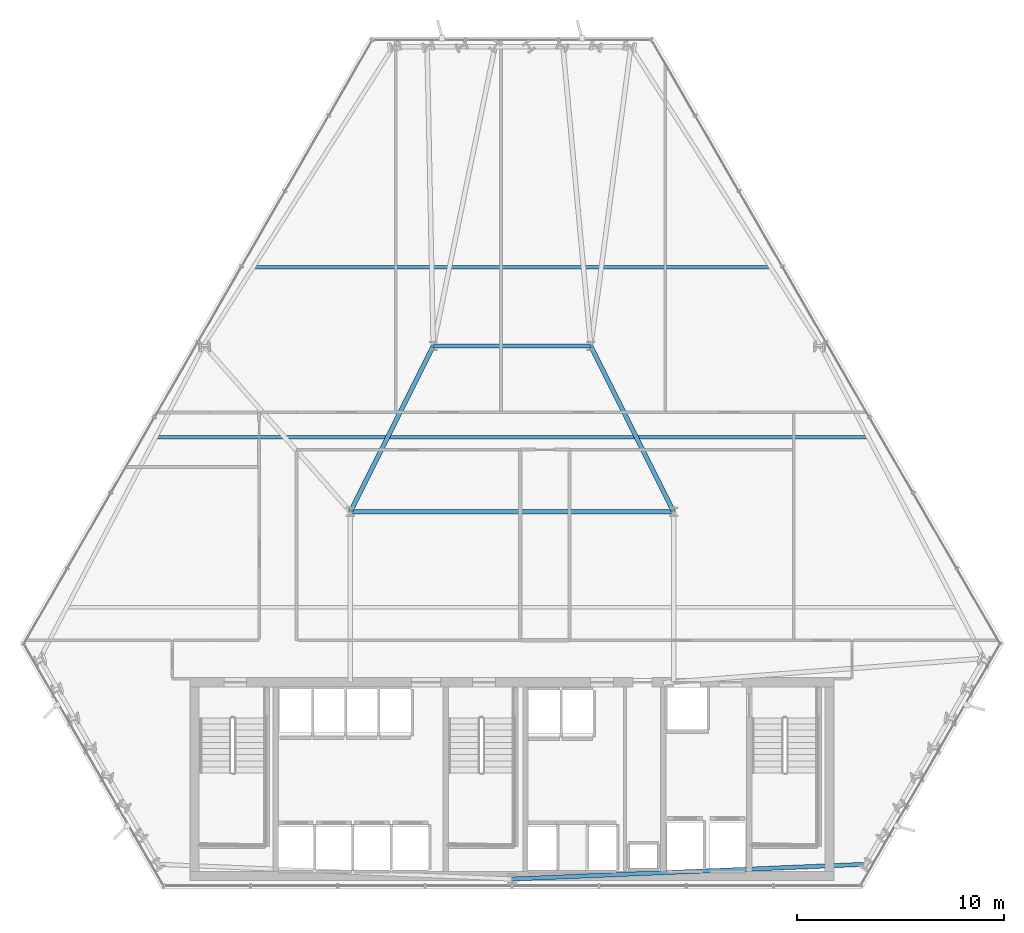
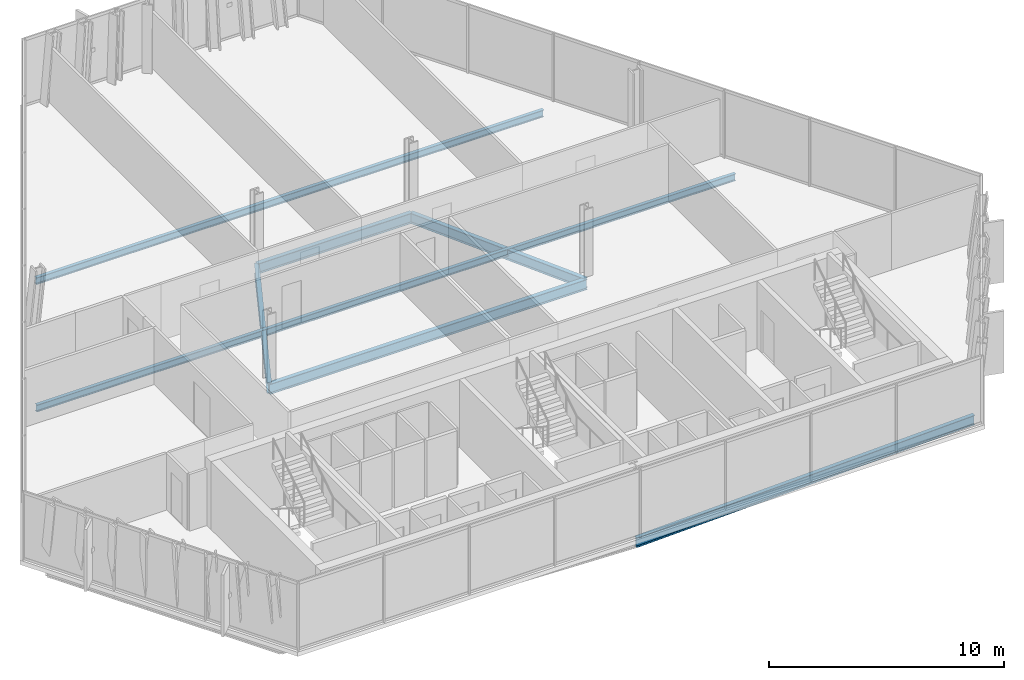
# One storey, part 14 of 31: 7 beams.
"""IFC4 building model written with IfcOpenShell, lengths in metres."""

from ifc_helpers import new_model, si_unit, direction, frame, origin, origin_2d, place, context, subcontext, project, spatial, i_section, extrude, material, material_profile, profile_set, type_object, element, save


model = new_model("IFC4")

# Units and contexts
model_context = context("Model", 3, precision=1e-05, world=origin(), true_north=direction((0.0, 1.0)))
body_context = subcontext(model_context, "Body", "Model", "MODEL_VIEW")
ifc_project = project(units=[si_unit("LENGTHUNIT", "METRE"), si_unit("AREAUNIT", "SQUARE_METRE"), si_unit("VOLUMEUNIT", "CUBIC_METRE"), si_unit("PLANEANGLEUNIT", "RADIAN"), si_unit("MASSUNIT", "GRAM", prefix="KILO")], contexts=[model_context])

# Site, building, storey
site_placement = place(None, origin())
site = spatial("IfcSite", under=ifc_project, at=site_placement, CompositionType="ELEMENT")
building_placement = place(site_placement, origin())
building = spatial("IfcBuilding", under=site, at=building_placement, Name="Ndaravel Arena Tower", CompositionType="ELEMENT")
storey_placement = place(building_placement, frame((0.0, 0.0, 108.199951171875)))
storey = spatial("IfcBuildingStorey", under=building, at=storey_placement, Name="L25", CompositionType="ELEMENT", Elevation=108.199951171875)

# Beams
ifc_material_1 = material(Name="Steel S355", Category="steel")
ifc_material_profile_1 = material_profile(ifc_material_1, i_section(OverallWidth=0.210693359375, OverallDepth=0.53955078125, WebThickness=0.01171875, FlangeThickness=0.018798828125, FilletRadius=0.0126953125, at=origin_2d()), Name="UB 533x210x109")
ifc_profile_set_1 = profile_set([ifc_material_profile_1], Name="Steel S355")
beam_type_1 = type_object("IfcBeamType", Name="BM-GIRD-UB533", PredefinedType="BEAM", material=ifc_profile_set_1)
beam_1_placement = place(storey_placement, frame((34.199951171875, 23.199951171875, -0.48974609375), z_axis=(1.0, 0.0, 0.0), x_axis=(0.0, 1.0, 0.0)))
element("IfcBeam", 1, at=beam_1_placement, inside=storey, type_object=beam_type_1, Name="L25 Spine Link Girder SLG-03", PredefinedType="BEAM", context=body_context, shape_type="SweptSolid", body=[
    extrude(i_section(OverallWidth=0.210693359375, OverallDepth=0.53955078125, WebThickness=0.01171875, FlangeThickness=0.018798828125, FilletRadius=0.0126953125, at=origin_2d()), origin(), (0.0, 0.0, 1.0), 15.60009765625),
])
for number, where, z_axis, x_axis, name in (
    (2, (34.199951171875, 23.199951171875, -0.48974609375), (0.4472135955, 0.894427191, 0.0), (-0.894427191, 0.4472135955, 0.0), "L25 Spine Link Girder SLG-04"),
    (3, (49.800048828125, 23.199951171875, -0.48974609375), (-0.4472135955, 0.894427191, 0.0), (-0.894427191, -0.4472135955, 0.0), "L25 Spine Link Girder SLG-05"),
):
    element("IfcBeam", number, at=place(storey_placement, frame(where, z_axis=z_axis, x_axis=x_axis)), inside=storey, type_object=beam_type_1, Name=name, PredefinedType="BEAM", context=body_context, shape_type="SweptSolid", body=[
        extrude(i_section(OverallWidth=0.210693359375, OverallDepth=0.53955078125, WebThickness=0.01171875, FlangeThickness=0.018798828125, FilletRadius=0.0126953125, at=origin_2d()), origin(), (0.0, 0.0, 1.0), 8.9443359375),
    ])
beam_2_placement = place(storey_placement, frame((38.199951171875, 31.199951171875, -0.48974609375), z_axis=(1.0, 0.0, 0.0), x_axis=(0.0, 1.0, 0.0)))
element("IfcBeam", 4, at=beam_2_placement, inside=storey, type_object=beam_type_1, Name="L25 Spine Link Girder SLG-06", PredefinedType="BEAM", context=body_context, shape_type="SweptSolid", body=[
    extrude(i_section(OverallWidth=0.210693359375, OverallDepth=0.53955078125, WebThickness=0.01171875, FlangeThickness=0.018798828125, FilletRadius=0.0126953125, at=origin_2d()), origin(), (0.0, 0.0, 1.0), 7.60009765625),
])
ifc_material_2 = material(Name="Steel S355", Category="steel")
ifc_material_profile_2 = material_profile(ifc_material_2, i_section(OverallWidth=0.169921875, OverallDepth=0.360107421875, WebThickness=0.008056640625, FlangeThickness=0.0126953125, FilletRadius=0.01806640625, at=origin_2d()), Name="IPE 360")
ifc_profile_set_2 = profile_set([ifc_material_profile_2], Name="Steel S355")
beam_type_2 = type_object("IfcBeamType", Name="BM-JOIST-IPE360", PredefinedType="JOIST", material=ifc_profile_set_2)
beam_3_placement = place(storey_placement, frame((24.807373046875, 26.800048828125, -0.39990234375), z_axis=(1.0, 0.0, 0.0), x_axis=(0.0, 1.0, 0.0)))
element("IfcBeam", 5, at=beam_3_placement, inside=storey, type_object=beam_type_2, Name="L25 Composite Floor Joist FJ-02", PredefinedType="JOIST", context=body_context, shape_type="SweptSolid", body=[
    extrude(i_section(OverallWidth=0.169921875, OverallDepth=0.360107421875, WebThickness=0.008056640625, FlangeThickness=0.0126953125, FilletRadius=0.01806640625, at=origin_2d()), origin(), (0.0, 0.0, 1.0), 34.38525390625),
])
beam_4_placement = place(storey_placement, frame((29.514892578125, 35.0, -0.39990234375), z_axis=(1.0, 0.0, 0.0), x_axis=(0.0, 1.0, 0.0)))
element("IfcBeam", 6, at=beam_4_placement, inside=storey, type_object=beam_type_2, Name="L25 Composite Floor Joist FJ-03", PredefinedType="JOIST", context=body_context, shape_type="SweptSolid", body=[
    extrude(i_section(OverallWidth=0.169921875, OverallDepth=0.360107421875, WebThickness=0.008056640625, FlangeThickness=0.0126953125, FilletRadius=0.01806640625, at=origin_2d()), origin(), (0.0, 0.0, 1.0), 24.97021484375),
])
ifc_material_3 = material(Name="Steel S355", Category="steel")
ifc_material_profile_3 = material_profile(ifc_material_3, i_section(OverallWidth=0.199951171875, OverallDepth=0.5, WebThickness=0.01025390625, FlangeThickness=0.01611328125, FilletRadius=0.02099609375, at=origin_2d()), Name="IPE 500")
ifc_profile_set_3 = profile_set([ifc_material_profile_3], Name="Steel S355")
beam_type_3 = type_object("IfcBeamType", Name="BM-SPAN-IPE500", PredefinedType="SPANDREL", material=ifc_profile_set_3)
beam_5_placement = place(storey_placement, frame((42.0, 5.47998046875, -0.469970703125), z_axis=(0.999134065017, 0.041606731707, 0.0), x_axis=(-0.041606731707, 0.999134065017, 0.0)))
element("IfcBeam", 7, at=beam_5_placement, inside=storey, type_object=beam_type_3, Name="L25 Perimeter Spandrel Beam SP-01", PredefinedType="SPANDREL", context=body_context, shape_type="SweptSolid", body=[
    extrude(i_section(OverallWidth=0.199951171875, OverallDepth=0.5, WebThickness=0.01025390625, FlangeThickness=0.01611328125, FilletRadius=0.02099609375, at=origin_2d()), origin(), (0.0, 0.0, 1.0), 17.057861328125),
])

save(model, "model.ifc")
